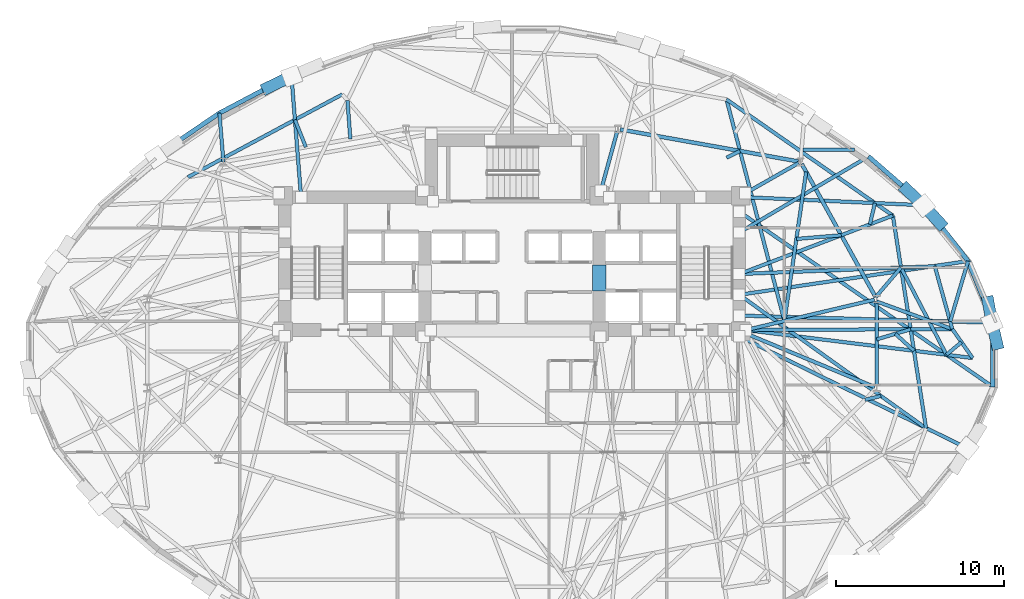
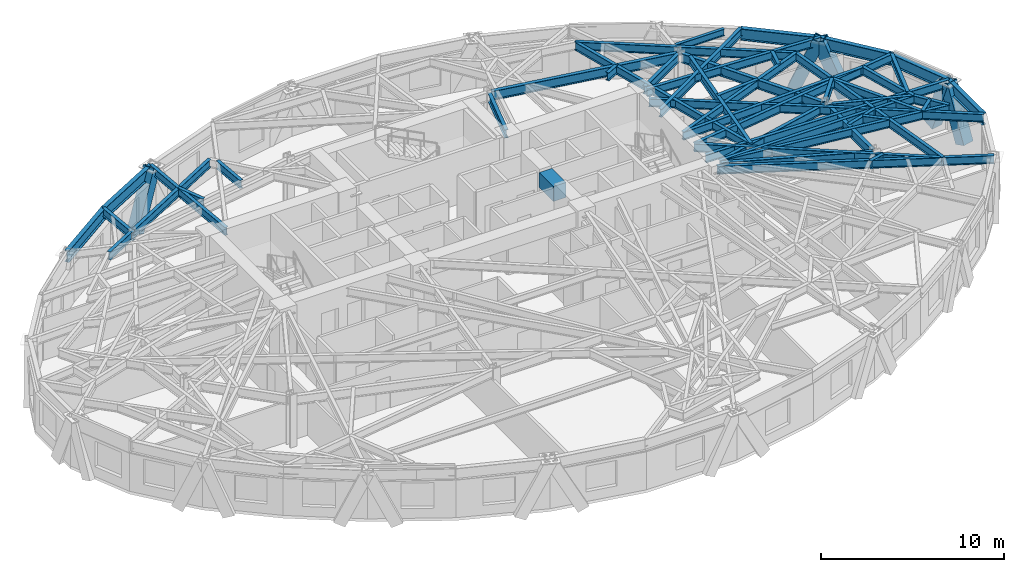
# One storey, part 4 of 14: 48 beams, 5 members.
"""IFC4 building model written with IfcOpenShell, lengths in metres."""

from ifc_helpers import new_model, si_unit, direction, frame, origin, origin_2d, place, context, subcontext, project, spatial, rectangle, hollow_rectangle, i_section, extrude, material, material_profile, profile_set, type_object, element, save


model = new_model("IFC4")

# Units and contexts
model_context = context("Model", 3, precision=1e-05, world=origin(), true_north=direction((0.0, 1.0)))
body_context = subcontext(model_context, "Body", "Model", "MODEL_VIEW")
ifc_project = project(units=[si_unit("LENGTHUNIT", "METRE"), si_unit("AREAUNIT", "SQUARE_METRE"), si_unit("VOLUMEUNIT", "CUBIC_METRE"), si_unit("PLANEANGLEUNIT", "RADIAN"), si_unit("MASSUNIT", "GRAM", prefix="KILO")], contexts=[model_context])

# Site, building, storey
site_placement = place(None, origin())
site = spatial("IfcSite", under=ifc_project, at=site_placement, CompositionType="ELEMENT")
building_placement = place(site_placement, origin())
building = spatial("IfcBuilding", under=site, at=building_placement, Name="Keldmark Tower", CompositionType="ELEMENT")
storey_placement = place(building_placement, frame((0.0, 0.0, 89.60009765625)))
storey = spatial("IfcBuildingStorey", under=building, at=storey_placement, Name="L23", CompositionType="ELEMENT", Elevation=89.60009765625)

# Beams
ifc_material_1 = material(Name="Steel ASTM A992 Grade 50", Category="steel")
ifc_material_profile_1 = material_profile(ifc_material_1, i_section(OverallWidth=0.19091796875, OverallDepth=0.45703125, WebThickness=0.009033203125, FlangeThickness=0.014404296875, at=origin_2d()), Name="W18X50")
ifc_profile_set_1 = profile_set([ifc_material_profile_1], Name="Steel ASTM A992 Grade 50")
beam_type_1 = type_object("IfcBeamType", Name="Composite Floor Joist W18X50", PredefinedType="JOIST", material=ifc_profile_set_1)
beam_1_placement = place(storey_placement, frame((17.322509765625, 12.199951171875, 3.081298828125), z_axis=(1.0, 0.0, 0.0), x_axis=(0.0, 1.0, 0.0)))
element("IfcBeam", 1, at=beam_1_placement, inside=storey, type_object=beam_type_1, Name="L23 Composite Floor Joist J08", PredefinedType="JOIST", context=body_context, shape_type="SweptSolid", body=[
    extrude(i_section(OverallWidth=0.19091796875, OverallDepth=0.45703125, WebThickness=0.009033203125, FlangeThickness=0.014404296875, at=origin_2d()), origin(), (0.0, 0.0, 1.0), 3.06494140625),
])
ifc_material_2 = material(Name="Concrete C70/85", Category="concrete")
ifc_material_profile_2 = material_profile(ifc_material_2, rectangle(XDim=0.800048828125, YDim=1.0, at=origin_2d()), Name="RCB800X1000")
ifc_profile_set_2 = profile_set([ifc_material_profile_2], Name="Concrete C70/85")
beam_type_2 = type_object("IfcBeamType", Name="Core Coupling Beam RCB800X1000", PredefinedType="USERDEFINED", material=ifc_profile_set_2)
beam_2_placement = place(storey_placement, frame((5.199951171875, 3.800048828125, 2.809814453125), z_axis=(0.0, 1.0, 0.0), x_axis=(-1.0, 0.0, 0.0)))
element("IfcBeam", 2, at=beam_2_placement, inside=storey, type_object=beam_type_2, Name="L23 East Core Coupling Beam", ObjectType="COUPLING BEAM", PredefinedType="USERDEFINED", context=body_context, shape_type="SweptSolid", body=[
    extrude(rectangle(XDim=0.800048828125, YDim=1.0, at=origin_2d()), origin(), (0.0, 0.0, 1.0), 1.550048828125),
])

# Members
ifc_material_3 = material(Name="Steel ASTM A572 Grade 50", Category="steel")
ifc_material_profile_3 = material_profile(ifc_material_3, hollow_rectangle(XDim=0.699951171875, YDim=0.699951171875, WallThickness=0.054931640625, at=origin_2d()), Name="BOX700X700X55")
ifc_profile_set_3 = profile_set([ifc_material_profile_3], Name="Steel ASTM A572 Grade 50")
member_type = type_object("IfcMemberType", Name="Diagrid Zone 1 Brace BOX700X700X55", PredefinedType="BRACE", material=ifc_profile_set_3)
member_1_placement = place(storey_placement, frame((28.3232421875, 3.15380859375, -0.27001953125), z_axis=(0.061933605526, -0.339011971209, 0.93874123798), x_axis=(0.983718870199, 0.179714174216, 0.0)))
element("IfcMember", 3, at=member_1_placement, inside=storey, type_object=member_type, Name="L23 Perimeter Diagrid Brace 01A", PredefinedType="BRACE", context=body_context, shape_type="SweptSolid", body=[
    extrude(hollow_rectangle(XDim=0.699951171875, YDim=0.699951171875, WallThickness=0.054931640625, at=origin_2d()), origin(), (0.0, 0.0, 1.0), 3.685791015625),
])
member_2_placement = place(storey_placement, frame((25.4755859375, 7.80615234375, -0.27001953125), z_axis=(-0.262085609005, 0.285373434278, 0.921885641802), x_axis=(-0.736519646714, -0.676416151496, 0.0)))
element("IfcMember", 4, at=member_2_placement, inside=storey, type_object=member_type, Name="L23 Perimeter Diagrid Brace 01B", PredefinedType="BRACE", context=body_context, shape_type="SweptSolid", body=[
    extrude(hollow_rectangle(XDim=0.699951171875, YDim=0.699951171875, WallThickness=0.054931640625, at=origin_2d()), origin(), (0.0, 0.0, 1.0), 3.753173828125),
])
member_3_placement = place(storey_placement, frame((23.441650390625, 9.855712890625, -0.27001953125), z_axis=(0.281311688688, -0.263798880483, 0.922645047927), x_axis=(0.684036585728, 0.729447701611, 0.0)))
element("IfcMember", 5, at=member_3_placement, inside=storey, type_object=member_type, Name="L23 Perimeter Diagrid Brace 02A", PredefinedType="BRACE", context=body_context, shape_type="SweptSolid", body=[
    extrude(hollow_rectangle(XDim=0.699951171875, YDim=0.699951171875, WallThickness=0.054931640625, at=origin_2d()), origin(), (0.0, 0.0, 1.0), 3.75),
])
member_4_placement = place(storey_placement, frame((-14.55322265625, 15.872314453125, -0.27001953125), z_axis=(0.381840327912, 0.187184144692, 0.905074615684), x_axis=(-0.44017146199, 0.89791373976, 0.0)))
element("IfcMember", 6, at=member_4_placement, inside=storey, type_object=member_type, Name="L23 Perimeter Diagrid Brace 06A", PredefinedType="BRACE", context=body_context, shape_type="SweptSolid", body=[
    extrude(hollow_rectangle(XDim=0.699951171875, YDim=0.699951171875, WallThickness=0.054931640625, at=origin_2d()), origin(), (0.0, 0.0, 1.0), 3.82275390625),
])
member_5_placement = place(storey_placement, frame((28.849853515625, 0.649169921875, -0.27001953125), z_axis=(-0.08070542249, 0.342700848854, 0.935971560986), x_axis=(-0.973372868039, -0.229227528376, 0.0)))
element("IfcMember", 7, at=member_5_placement, inside=storey, type_object=member_type, Name="L23 Perimeter Diagrid Brace 16B", PredefinedType="BRACE", context=body_context, shape_type="SweptSolid", body=[
    extrude(hollow_rectangle(XDim=0.699951171875, YDim=0.699951171875, WallThickness=0.054931640625, at=origin_2d()), origin(), (0.0, 0.0, 1.0), 3.696533203125),
])

# Beams
ifc_material_4 = material(Name="Steel ASTM A992 Grade 50", Category="steel")
ifc_material_profile_4 = material_profile(ifc_material_4, i_section(OverallWidth=0.22900390625, OverallDepth=0.612060546875, WebThickness=0.011962890625, FlangeThickness=0.01953125, at=origin_2d()), Name="W24X84")
ifc_profile_set_4 = profile_set([ifc_material_profile_4], Name="Steel ASTM A992 Grade 50")
beam_type_3 = type_object("IfcBeamType", Name="Primary Floor Girder W24X84", PredefinedType="BEAM", material=ifc_profile_set_4)
beam_3_placement = place(storey_placement, frame((21.62890625, 3.432373046875, 3.00390625), z_axis=(-0.484951836703, 0.874540860154, 0.0), x_axis=(-0.874540860154, -0.484951836703, 0.0)))
element("IfcBeam", 8, at=beam_3_placement, inside=storey, type_object=beam_type_3, Name="L23 Floor Ring Girder FG-R01", PredefinedType="BEAM", context=body_context, shape_type="SweptSolid", body=[
    extrude(i_section(OverallWidth=0.22900390625, OverallDepth=0.612060546875, WebThickness=0.011962890625, FlangeThickness=0.01953125, at=origin_2d()), origin(), (0.0, 0.0, 1.0), 9.060302734375),
])
beam_4_placement = place(storey_placement, frame((17.029296875, 11.503173828125, 3.00390625), z_axis=(-0.984218266992, 0.176958760505, 0.0), x_axis=(-0.176958760505, -0.984218266992, 0.0)))
element("IfcBeam", 9, at=beam_4_placement, inside=storey, type_object=beam_type_3, Name="L23 Floor Ring Girder FG-R02", PredefinedType="BEAM", context=body_context, shape_type="SweptSolid", body=[
    extrude(i_section(OverallWidth=0.22900390625, OverallDepth=0.612060546875, WebThickness=0.011962890625, FlangeThickness=0.01953125, at=origin_2d()), origin(), (0.0, 0.0, 1.0), 10.7626953125),
])
beam_5_placement = place(storey_placement, frame((21.697021484375, -1.825927734375, 3.00390625), z_axis=(0.0, 1.0, 0.0), x_axis=(-1.0, 0.0, 0.0)))
element("IfcBeam", 10, at=beam_5_placement, inside=storey, type_object=beam_type_3, Name="L23 Floor Ring Girder FG-R12", PredefinedType="BEAM", context=body_context, shape_type="SweptSolid", body=[
    extrude(i_section(OverallWidth=0.22900390625, OverallDepth=0.612060546875, WebThickness=0.011962890625, FlangeThickness=0.01953125, at=origin_2d()), origin(), (0.0, 0.0, 1.0), 4.995849609375),
])
ifc_material_5 = material(Name="Steel ASTM A992 Grade 50", Category="steel")
ifc_material_profile_5 = material_profile(ifc_material_5, i_section(OverallWidth=0.2099609375, OverallDepth=0.537109375, WebThickness=0.010986328125, FlangeThickness=0.017333984375, at=origin_2d()), Name="W21X68")
ifc_profile_set_5 = profile_set([ifc_material_profile_5], Name="Steel ASTM A992 Grade 50")
beam_type_4 = type_object("IfcBeamType", Name="Radial Tie Girder W21X68", PredefinedType="BEAM", material=ifc_profile_set_5)
beam_6_placement = place(storey_placement, frame((16.206298828125, 2.014892578125, 3.04150390625), z_axis=(0.14389571359, 0.989592857498, 0.0), x_axis=(-0.989592857498, 0.14389571359, 0.0)))
element("IfcBeam", 11, at=beam_6_placement, inside=storey, type_object=beam_type_4, Name="L23 Framing Pin Header PH-001", PredefinedType="BEAM", context=body_context, shape_type="SweptSolid", body=[
    extrude(i_section(OverallWidth=0.2099609375, OverallDepth=0.537109375, WebThickness=0.010986328125, FlangeThickness=0.017333984375, at=origin_2d()), origin(), (0.0, 0.0, 1.0), 8.96337890625),
])
beam_7_placement = place(storey_placement, frame((-10.0927734375, 15.492919921875, 3.04150390625), z_axis=(-0.881315604361, -0.472528100234, 0.0), x_axis=(0.472528100234, -0.881315604361, 0.0)))
element("IfcBeam", 12, at=beam_7_placement, inside=storey, type_object=beam_type_4, Name="L23 Perimeter Collector Ring Beam CRG1-M05", PredefinedType="BEAM", context=body_context, shape_type="SweptSolid", body=[
    extrude(i_section(OverallWidth=0.2099609375, OverallDepth=0.537109375, WebThickness=0.010986328125, FlangeThickness=0.017333984375, at=origin_2d()), origin(), (0.0, 0.0, 1.0), 10.42578125),
])
beam_8_placement = place(storey_placement, frame((16.915771484375, 6.893310546875, 3.04150390625), z_axis=(0.996588967616, 0.082525327179, 0.0), x_axis=(-0.082525327179, 0.996588967616, 0.0)))
element("IfcBeam", 13, at=beam_8_placement, inside=storey, type_object=beam_type_4, Name="L23 Framing Pin Header PH-004", PredefinedType="BEAM", context=body_context, shape_type="SweptSolid", body=[
    extrude(i_section(OverallWidth=0.2099609375, OverallDepth=0.537109375, WebThickness=0.010986328125, FlangeThickness=0.017333984375, at=origin_2d()), origin(), (0.0, 0.0, 1.0), 2.68017578125),
])
beam_9_placement = place(storey_placement, frame((13.52490234375, 4.80712890625, 3.04150390625), z_axis=(0.934581128722, 0.355750072154, 0.0), x_axis=(-0.355750072154, 0.934581128722, 0.0)))
element("IfcBeam", 14, at=beam_9_placement, inside=storey, type_object=beam_type_4, Name="L23 Sub-Ring Step Girder STP2-M01", PredefinedType="BEAM", context=body_context, shape_type="SweptSolid", body=[
    extrude(i_section(OverallWidth=0.2099609375, OverallDepth=0.537109375, WebThickness=0.010986328125, FlangeThickness=0.017333984375, at=origin_2d()), origin(), (0.0, 0.0, 1.0), 9.769775390625),
])
beam_10_placement = place(storey_placement, frame((12.7646484375, 11.72900390625, 3.04150390625), z_axis=(0.894974574829, 0.446117148751, 0.0), x_axis=(-0.446117148751, 0.894974574829, 0.0)))
element("IfcBeam", 15, at=beam_10_placement, inside=storey, type_object=beam_type_4, Name="L23 Framing Pin Header PH-005", PredefinedType="BEAM", context=body_context, shape_type="SweptSolid", body=[
    extrude(i_section(OverallWidth=0.2099609375, OverallDepth=0.537109375, WebThickness=0.010986328125, FlangeThickness=0.017333984375, at=origin_2d()), origin(), (0.0, 0.0, 1.0), 0.890869140625),
])
beam_11_placement = place(storey_placement, frame((16.206298828125, 2.014892578125, 3.04150390625), z_axis=(-0.253002706369, 0.967465570741, 0.0), x_axis=(-0.967465570741, -0.253002706369, 0.0)))
element("IfcBeam", 16, at=beam_11_placement, inside=storey, type_object=beam_type_4, Name="L23 Sub-Ring Step Girder STP2-M02", PredefinedType="BEAM", context=body_context, shape_type="SweptSolid", body=[
    extrude(i_section(OverallWidth=0.2099609375, OverallDepth=0.537109375, WebThickness=0.010986328125, FlangeThickness=0.017333984375, at=origin_2d()), origin(), (0.0, 0.0, 1.0), 13.61962890625),
])
beam_12_placement = place(storey_placement, frame((20.9951171875, -2.675048828125, 3.04150390625), z_axis=(0.972929521579, 0.231102025177, 0.0), x_axis=(-0.231102025177, 0.972929521579, 0.0)))
element("IfcBeam", 17, at=beam_12_placement, inside=storey, type_object=beam_type_4, Name="L23 Framing Pin Header PH-009", PredefinedType="BEAM", context=body_context, shape_type="SweptSolid", body=[
    extrude(i_section(OverallWidth=0.2099609375, OverallDepth=0.537109375, WebThickness=0.010986328125, FlangeThickness=0.017333984375, at=origin_2d()), origin(), (0.0, 0.0, 1.0), 0.97607421875),
])
beam_13_placement = place(storey_placement, frame((13.52490234375, 3.5712890625, 3.04150390625), z_axis=(0.813433686012, -0.581657664319, 0.0), x_axis=(0.581657664319, 0.813433686012, 0.0)))
element("IfcBeam", 18, at=beam_13_placement, inside=storey, type_object=beam_type_4, Name="L23 Sub-Ring Step Girder STP2-M12", PredefinedType="BEAM", context=body_context, shape_type="SweptSolid", body=[
    extrude(i_section(OverallWidth=0.2099609375, OverallDepth=0.537109375, WebThickness=0.010986328125, FlangeThickness=0.017333984375, at=origin_2d()), origin(), (0.0, 0.0, 1.0), 13.6513671875),
])
beam_14_placement = place(storey_placement, frame((22.655517578125, 8.28271484375, 3.04150390625), z_axis=(-0.819925117643, 0.572470786555, 0.0), x_axis=(-0.572470786555, -0.819925117643, 0.0)))
element("IfcBeam", 19, at=beam_14_placement, inside=storey, type_object=beam_type_4, Name="L23 Perimeter Collector Ring Beam CRG2-M01", PredefinedType="BEAM", context=body_context, shape_type="SweptSolid", body=[
    extrude(i_section(OverallWidth=0.2099609375, OverallDepth=0.537109375, WebThickness=0.010986328125, FlangeThickness=0.017333984375, at=origin_2d()), origin(), (0.0, 0.0, 1.0), 12.068115234375),
])
beam_15_placement = place(storey_placement, frame((24.62939453125, -4.369140625, 3.04150390625), z_axis=(-0.154150045037, 0.988047450083, 0.0), x_axis=(-0.988047450083, -0.154150045037, 0.0)))
element("IfcBeam", 20, at=beam_15_placement, inside=storey, type_object=beam_type_4, Name="L23 Perimeter Collector Ring Beam CRG2-M12", PredefinedType="BEAM", context=body_context, shape_type="SweptSolid", body=[
    extrude(i_section(OverallWidth=0.2099609375, OverallDepth=0.537109375, WebThickness=0.010986328125, FlangeThickness=0.017333984375, at=origin_2d()), origin(), (0.0, 0.0, 1.0), 12.804931640625),
])
beam_16_placement = place(storey_placement, frame((21.697021484375, 0.921875, 3.04150390625), z_axis=(0.958498594597, 0.285097253855, 0.0), x_axis=(-0.285097253855, 0.958498594597, 0.0)))
element("IfcBeam", 21, at=beam_16_placement, inside=storey, type_object=beam_type_4, Name="L23 Framing Pin Header PH-010", PredefinedType="BEAM", context=body_context, shape_type="SweptSolid", body=[
    extrude(i_section(OverallWidth=0.2099609375, OverallDepth=0.537109375, WebThickness=0.010986328125, FlangeThickness=0.017333984375, at=origin_2d()), origin(), (0.0, 0.0, 1.0), 2.1005859375),
])
beam_17_placement = place(storey_placement, frame((13.89990234375, 1.47509765625, 3.04150390625), z_axis=(0.999989195547, 0.004648525403, 0.0), x_axis=(-0.004648525403, 0.999989195547, 0.0)))
element("IfcBeam", 22, at=beam_17_placement, inside=storey, type_object=beam_type_4, Name="L23 Intermediate Radial Step Girder RT-01M", PredefinedType="BEAM", context=body_context, shape_type="SweptSolid", body=[
    extrude(i_section(OverallWidth=0.2099609375, OverallDepth=0.537109375, WebThickness=0.010986328125, FlangeThickness=0.017333984375, at=origin_2d()), origin(), (0.0, 0.0, 1.0), 12.289794921875),
])
beam_18_placement = place(storey_placement, frame((21.697021484375, 3.169921875, 3.04150390625), z_axis=(0.939518823607, -0.34249727019, 0.0), x_axis=(0.34249727019, 0.939518823607, 0.0)))
element("IfcBeam", 23, at=beam_18_placement, inside=storey, type_object=beam_type_4, Name="L23 Local Collector Chord RT-01C", PredefinedType="BEAM", context=body_context, shape_type="SweptSolid", body=[
    extrude(i_section(OverallWidth=0.2099609375, OverallDepth=0.537109375, WebThickness=0.010986328125, FlangeThickness=0.017333984375, at=origin_2d()), origin(), (0.0, 0.0, 1.0), 4.78173828125),
])
beam_19_placement = place(storey_placement, frame((21.62890625, 3.432373046875, 3.04150390625), z_axis=(0.651589581804, 0.758571695283, 0.0), x_axis=(-0.758571695283, 0.651589581804, 0.0)))
element("IfcBeam", 24, at=beam_19_placement, inside=storey, type_object=beam_type_4, Name="L23 Framing Pin Header PH-011", PredefinedType="BEAM", context=body_context, shape_type="SweptSolid", body=[
    extrude(i_section(OverallWidth=0.2099609375, OverallDepth=0.537109375, WebThickness=0.010986328125, FlangeThickness=0.017333984375, at=origin_2d()), origin(), (0.0, 0.0, 1.0), 2.31640625),
])
beam_20_placement = place(storey_placement, frame((13.52490234375, 4.80712890625, 3.04150390625), z_axis=(0.999209950135, 0.039742616299, 0.0), x_axis=(-0.039742616299, 0.999209950135, 0.0)))
element("IfcBeam", 25, at=beam_20_placement, inside=storey, type_object=beam_type_4, Name="L23 Intermediate Radial Step Girder RT-02M", PredefinedType="BEAM", context=body_context, shape_type="SweptSolid", body=[
    extrude(i_section(OverallWidth=0.2099609375, OverallDepth=0.537109375, WebThickness=0.010986328125, FlangeThickness=0.017333984375, at=origin_2d()), origin(), (0.0, 0.0, 1.0), 11.635009765625),
])
beam_21_placement = place(storey_placement, frame((26.189453125, 1.5322265625, 3.04150390625), z_axis=(-0.267806167303, 0.963472810594, 0.0), x_axis=(-0.963472810594, -0.267806167303, 0.0)))
element("IfcBeam", 26, at=beam_21_placement, inside=storey, type_object=beam_type_4, Name="L23 Local Collector Chord RT-02C", PredefinedType="BEAM", context=body_context, shape_type="SweptSolid", body=[
    extrude(i_section(OverallWidth=0.2099609375, OverallDepth=0.537109375, WebThickness=0.010986328125, FlangeThickness=0.017333984375, at=origin_2d()), origin(), (0.0, 0.0, 1.0), 3.87890625),
])
beam_22_placement = place(storey_placement, frame((13.52490234375, 3.5712890625, 3.04150390625), z_axis=(0.989291750544, 0.145951472432, 0.0), x_axis=(-0.145951472432, 0.989291750544, 0.0)))
element("IfcBeam", 27, at=beam_22_placement, inside=storey, type_object=beam_type_4, Name="L23 Perimeter Radial Tie Girder RT-02", PredefinedType="BEAM", context=body_context, shape_type="SweptSolid", body=[
    extrude(i_section(OverallWidth=0.2099609375, OverallDepth=0.537109375, WebThickness=0.010986328125, FlangeThickness=0.017333984375, at=origin_2d()), origin(), (0.0, 0.0, 1.0), 13.75),
])
beam_23_placement = place(storey_placement, frame((21.285888671875, 7.761474609375, 3.04150390625), z_axis=(0.231713456872, 0.972784083908, 0.0), x_axis=(-0.972784083908, 0.231713456872, 0.0)))
element("IfcBeam", 28, at=beam_23_placement, inside=storey, type_object=beam_type_4, Name="L23 Framing Pin Header PH-012", PredefinedType="BEAM", context=body_context, shape_type="SweptSolid", body=[
    extrude(i_section(OverallWidth=0.2099609375, OverallDepth=0.537109375, WebThickness=0.010986328125, FlangeThickness=0.017333984375, at=origin_2d()), origin(), (0.0, 0.0, 1.0), 1.30224609375),
])
beam_24_placement = place(storey_placement, frame((13.89990234375, 9.375, 3.04150390625), z_axis=(0.998984813871, -0.045048214784, 0.0), x_axis=(0.045048214784, 0.998984813871, 0.0)))
element("IfcBeam", 29, at=beam_24_placement, inside=storey, type_object=beam_type_4, Name="L23 Perimeter Radial Tie Girder RT-03", PredefinedType="BEAM", context=body_context, shape_type="SweptSolid", body=[
    extrude(i_section(OverallWidth=0.2099609375, OverallDepth=0.537109375, WebThickness=0.010986328125, FlangeThickness=0.017333984375, at=origin_2d()), origin(), (0.0, 0.0, 1.0), 10.66015625),
])
beam_25_placement = place(storey_placement, frame((13.52490234375, 7.278564453125, 3.04150390625), z_axis=(0.861941256473, 0.507008156137, 0.0), x_axis=(-0.507008156137, 0.861941256473, 0.0)))
element("IfcBeam", 30, at=beam_25_placement, inside=storey, type_object=beam_type_4, Name="L23 Perimeter Radial Tie Girder RT-04", PredefinedType="BEAM", context=body_context, shape_type="SweptSolid", body=[
    extrude(i_section(OverallWidth=0.2099609375, OverallDepth=0.537109375, WebThickness=0.010986328125, FlangeThickness=0.017333984375, at=origin_2d()), origin(), (0.0, 0.0, 1.0), 8.9130859375),
])
beam_26_placement = place(storey_placement, frame((-9.614501953125, 12.836181640625, 3.04150390625), z_axis=(-0.075335195773, 0.997158266414, 0.0), x_axis=(-0.997158266414, -0.075335195773, 0.0)))
element("IfcBeam", 31, at=beam_26_placement, inside=storey, type_object=beam_type_4, Name="L23 Framing Pin Header PH-016", PredefinedType="BEAM", context=body_context, shape_type="SweptSolid", body=[
    extrude(i_section(OverallWidth=0.2099609375, OverallDepth=0.537109375, WebThickness=0.010986328125, FlangeThickness=0.017333984375, at=origin_2d()), origin(), (0.0, 0.0, 1.0), 2.30419921875),
])
beam_27_placement = place(storey_placement, frame((-12.2626953125, 12.360107421875, 3.04150390625), z_axis=(-0.371414777482, 0.928467050071, 0.0), x_axis=(-0.928467050071, -0.371414777482, 0.0)))
element("IfcBeam", 32, at=beam_27_placement, inside=storey, type_object=beam_type_4, Name="L23 Framing Pin Header PH-017", PredefinedType="BEAM", context=body_context, shape_type="SweptSolid", body=[
    extrude(i_section(OverallWidth=0.2099609375, OverallDepth=0.537109375, WebThickness=0.010986328125, FlangeThickness=0.017333984375, at=origin_2d()), origin(), (0.0, 0.0, 1.0), 1.74658203125),
])
beam_28_placement = place(storey_placement, frame((-12.54638671875, 9.375, 3.04150390625), z_axis=(-0.078953032265, 0.996878336958, 0.0), x_axis=(-0.996878336958, -0.078953032265, 0.0)))
element("IfcBeam", 33, at=beam_28_placement, inside=storey, type_object=beam_type_4, Name="L23 Perimeter Radial Tie Girder RT-11", PredefinedType="BEAM", context=body_context, shape_type="SweptSolid", body=[
    extrude(i_section(OverallWidth=0.2099609375, OverallDepth=0.537109375, WebThickness=0.010986328125, FlangeThickness=0.017333984375, at=origin_2d()), origin(), (0.0, 0.0, 1.0), 7.288330078125),
])
beam_29_placement = place(storey_placement, frame((-17.1669921875, 11.478271484375, 3.04150390625), z_axis=(-0.081717856623, 0.996655503125, 0.0), x_axis=(-0.996655503125, -0.081717856623, 0.0)))
element("IfcBeam", 34, at=beam_29_placement, inside=storey, type_object=beam_type_4, Name="L23 Perimeter Column Bracket RT-12", PredefinedType="BEAM", context=body_context, shape_type="SweptSolid", body=[
    extrude(i_section(OverallWidth=0.2099609375, OverallDepth=0.537109375, WebThickness=0.010986328125, FlangeThickness=0.017333984375, at=origin_2d()), origin(), (0.0, 0.0, 1.0), 2.906982421875),
])
beam_30_placement = place(storey_placement, frame((13.52490234375, 1.10009765625, 3.04150390625), z_axis=(0.897654748014, -0.440699391159, 0.0), x_axis=(0.440699391159, 0.897654748014, 0.0)))
element("IfcBeam", 35, at=beam_30_placement, inside=storey, type_object=beam_type_4, Name="L23 Perimeter Radial Tie Girder RT-31", PredefinedType="BEAM", context=body_context, shape_type="SweptSolid", body=[
    extrude(i_section(OverallWidth=0.2099609375, OverallDepth=0.537109375, WebThickness=0.010986328125, FlangeThickness=0.017333984375, at=origin_2d()), origin(), (0.0, 0.0, 1.0), 15.15380859375),
])
beam_31_placement = place(storey_placement, frame((22.804443359375, 1.251220703125, 3.04150390625), z_axis=(0.738337241578, -0.674431699803, 0.0), x_axis=(0.674431699803, 0.738337241578, 0.0)))
element("IfcBeam", 36, at=beam_31_placement, inside=storey, type_object=beam_type_4, Name="L23 Framing Pin Header PH-036", PredefinedType="BEAM", context=body_context, shape_type="SweptSolid", body=[
    extrude(i_section(OverallWidth=0.2099609375, OverallDepth=0.537109375, WebThickness=0.010986328125, FlangeThickness=0.017333984375, at=origin_2d()), origin(), (0.0, 0.0, 1.0), 1.49755859375),
])
beam_32_placement = place(storey_placement, frame((13.89990234375, 1.47509765625, 3.04150390625), z_axis=(0.992488765167, -0.122335812492, 0.0), x_axis=(0.122335812492, 0.992488765167, 0.0)))
element("IfcBeam", 37, at=beam_32_placement, inside=storey, type_object=beam_type_4, Name="L23 Intermediate Radial Step Girder RT-32M", PredefinedType="BEAM", context=body_context, shape_type="SweptSolid", body=[
    extrude(i_section(OverallWidth=0.2099609375, OverallDepth=0.537109375, WebThickness=0.010986328125, FlangeThickness=0.017333984375, at=origin_2d()), origin(), (0.0, 0.0, 1.0), 13.602294921875),
])
beam_33_placement = place(storey_placement, frame((26.189453125, 1.5322265625, 3.04150390625), z_axis=(0.575329586776, -0.817921675089, 0.0), x_axis=(0.817921675089, 0.575329586776, 0.0)))
element("IfcBeam", 38, at=beam_33_placement, inside=storey, type_object=beam_type_4, Name="L23 Local Collector Chord RT-32C", PredefinedType="BEAM", context=body_context, shape_type="SweptSolid", body=[
    extrude(i_section(OverallWidth=0.2099609375, OverallDepth=0.537109375, WebThickness=0.010986328125, FlangeThickness=0.017333984375, at=origin_2d()), origin(), (0.0, 0.0, 1.0), 2.104248046875),
])
beam_34_placement = place(storey_placement, frame((26.734375, 0.7578125, 3.04150390625), z_axis=(-0.763473457595, -0.645839205645, 0.0), x_axis=(0.645839205645, -0.763473457595, 0.0)))
element("IfcBeam", 39, at=beam_34_placement, inside=storey, type_object=beam_type_4, Name="L23 Framing Pin Header PH-037", PredefinedType="BEAM", context=body_context, shape_type="SweptSolid", body=[
    extrude(i_section(OverallWidth=0.2099609375, OverallDepth=0.537109375, WebThickness=0.010986328125, FlangeThickness=0.017333984375, at=origin_2d()), origin(), (0.0, 0.0, 1.0), 1.16845703125),
])
beam_35_placement = place(storey_placement, frame((13.52490234375, 8.514404296875, 3.04150390625), z_axis=(0.82269512917, -0.568482826864, 0.0), x_axis=(0.568482826864, 0.82269512917, 0.0)))
element("IfcBeam", 40, at=beam_35_placement, inside=storey, type_object=beam_type_4, Name="L23 Perimeter Radial Tie Girder RT-32", PredefinedType="BEAM", context=body_context, shape_type="SweptSolid", body=[
    extrude(i_section(OverallWidth=0.2099609375, OverallDepth=0.537109375, WebThickness=0.010986328125, FlangeThickness=0.017333984375, at=origin_2d()), origin(), (0.0, 0.0, 1.0), 18.33740234375),
])
beam_36_placement = place(storey_placement, frame((25.84228515625, 0.003173828125, 3.04150390625), z_axis=(-0.462326334109, 0.886709851524, 0.0), x_axis=(-0.886709851524, -0.462326334109, 0.0)))
element("IfcBeam", 41, at=beam_36_placement, inside=storey, type_object=beam_type_4, Name="L23 Straddling Support Chord RT-01RB", PredefinedType="BEAM", context=body_context, shape_type="SweptSolid", body=[
    extrude(i_section(OverallWidth=0.2099609375, OverallDepth=0.537109375, WebThickness=0.010986328125, FlangeThickness=0.017333984375, at=origin_2d()), origin(), (0.0, 0.0, 1.0), 5.848876953125),
])
beam_37_placement = place(storey_placement, frame((27.127685546875, 5.578125, 3.04150390625), z_axis=(-0.283523042835, -0.958965423872, 0.0), x_axis=(0.958965423872, -0.283523042835, 0.0)))
element("IfcBeam", 42, at=beam_37_placement, inside=storey, type_object=beam_type_4, Name="L23 Framing Pin Header PH-038", PredefinedType="BEAM", context=body_context, shape_type="SweptSolid", body=[
    extrude(i_section(OverallWidth=0.2099609375, OverallDepth=0.537109375, WebThickness=0.010986328125, FlangeThickness=0.017333984375, at=origin_2d()), origin(), (0.0, 0.0, 1.0), 3.75),
])
beam_38_placement = place(storey_placement, frame((13.52490234375, 2.335693359375, 3.04150390625), z_axis=(0.999602417595, -0.028195863834, 0.0), x_axis=(0.028195863834, 0.999602417595, 0.0)))
element("IfcBeam", 43, at=beam_38_placement, inside=storey, type_object=beam_type_4, Name="L23 Perimeter Radial Tie Girder RT-01R", PredefinedType="BEAM", context=body_context, shape_type="SweptSolid", body=[
    extrude(i_section(OverallWidth=0.2099609375, OverallDepth=0.537109375, WebThickness=0.010986328125, FlangeThickness=0.017333984375, at=origin_2d()), origin(), (0.0, 0.0, 1.0), 15.09228515625),
])
ifc_material_6 = material(Name="Steel ASTM A992 Grade 50", Category="steel")
ifc_material_profile_6 = material_profile(ifc_material_6, i_section(OverallWidth=0.214111328125, OverallDepth=0.549072265625, WebThickness=0.0146484375, FlangeThickness=0.023681640625, at=origin_2d()), Name="W21X93")
ifc_profile_set_6 = profile_set([ifc_material_profile_6], Name="Steel ASTM A992 Grade 50")
beam_type_5 = type_object("IfcBeamType", Name="Radial Tie Girder W21X93", PredefinedType="BEAM", material=ifc_profile_set_6)
beam_39_placement = place(storey_placement, frame((21.560546875, 3.27783203125, 3.035400390625), z_axis=(-0.973283778272, -0.229605502879, 0.0), x_axis=(0.229605502879, -0.973283778272, 0.0)))
element("IfcBeam", 44, at=beam_39_placement, inside=storey, type_object=beam_type_5, Name="L23 Floor Radial Girder FG-C01", PredefinedType="BEAM", context=body_context, shape_type="SweptSolid", body=[
    extrude(i_section(OverallWidth=0.214111328125, OverallDepth=0.549072265625, WebThickness=0.0146484375, FlangeThickness=0.023681640625, at=origin_2d()), origin(), (0.0, 0.0, 1.0), 7.85888671875),
])
beam_40_placement = place(storey_placement, frame((17.04541015625, 11.4091796875, 3.035400390625), z_axis=(-0.86928447329, -0.494312152892, 0.0), x_axis=(0.494312152892, -0.86928447329, 0.0)))
element("IfcBeam", 45, at=beam_40_placement, inside=storey, type_object=beam_type_5, Name="L23 Floor Radial Girder FG-C02", PredefinedType="BEAM", context=body_context, shape_type="SweptSolid", body=[
    extrude(i_section(OverallWidth=0.214111328125, OverallDepth=0.549072265625, WebThickness=0.0146484375, FlangeThickness=0.023681640625, at=origin_2d()), origin(), (0.0, 0.0, 1.0), 3.6435546875),
])
beam_41_placement = place(storey_placement, frame((6.26171875, 13.297607421875, 3.035400390625), z_axis=(-0.265997186795, -0.963973804944, 0.0), x_axis=(0.963973804944, -0.265997186795, 0.0)))
element("IfcBeam", 46, at=beam_41_placement, inside=storey, type_object=beam_type_5, Name="L23 Floor Radial Girder FG-C03", PredefinedType="BEAM", context=body_context, shape_type="SweptSolid", body=[
    extrude(i_section(OverallWidth=0.214111328125, OverallDepth=0.549072265625, WebThickness=0.0146484375, FlangeThickness=0.023681640625, at=origin_2d()), origin(), (0.0, 0.0, 1.0), 3.67138671875),
])
beam_42_placement = place(storey_placement, frame((21.567626953125, -1.912109375, 3.035400390625), z_axis=(-0.923397393633, 0.383845350932, 0.0), x_axis=(-0.383845350932, -0.923397393633, 0.0)))
element("IfcBeam", 47, at=beam_42_placement, inside=storey, type_object=beam_type_5, Name="L23 Floor Radial Girder FG-C12", PredefinedType="BEAM", context=body_context, shape_type="SweptSolid", body=[
    extrude(i_section(OverallWidth=0.214111328125, OverallDepth=0.549072265625, WebThickness=0.0146484375, FlangeThickness=0.023681640625, at=origin_2d()), origin(), (0.0, 0.0, 1.0), 8.30859375),
])
ifc_material_7 = material(Name="Steel ASTM A992 Grade 50", Category="steel")
ifc_material_profile_7 = material_profile(ifc_material_7, i_section(OverallWidth=0.26806640625, OverallDepth=0.77001953125, WebThickness=0.015625, FlangeThickness=0.025390625, at=origin_2d()), Name="W30X132")
ifc_profile_set_7 = profile_set([ifc_material_profile_7], Name="Steel ASTM A992 Grade 50")
beam_type_6 = type_object("IfcBeamType", Name="Spandrel Ring Beam W30X132", PredefinedType="SPANDREL", material=ifc_profile_set_7)
beam_43_placement = place(storey_placement, frame((28.611083984375, 1.91015625, 2.9248046875), z_axis=(-0.374920072969, 0.927057138954, 0.0), x_axis=(-0.927057138954, -0.374920072969, 0.0)))
element("IfcBeam", 48, at=beam_43_placement, inside=storey, type_object=beam_type_6, Name="L23 Perimeter Spandrel Ring Beam SRB-01", PredefinedType="SPANDREL", context=body_context, shape_type="SweptSolid", body=[
    extrude(i_section(OverallWidth=0.26806640625, OverallDepth=0.77001953125, WebThickness=0.015625, FlangeThickness=0.025390625, at=origin_2d()), origin(), (0.0, 0.0, 1.0), 3.95654296875),
])
beam_44_placement = place(storey_placement, frame((27.127685546875, 5.578125, 2.9248046875), z_axis=(-0.61375552181, 0.789496142769, 0.0), x_axis=(-0.789496142769, -0.61375552181, 0.0)))
element("IfcBeam", 49, at=beam_44_placement, inside=storey, type_object=beam_type_6, Name="L23 Perimeter Spandrel Ring Beam SRB-02", PredefinedType="SPANDREL", context=body_context, shape_type="SweptSolid", body=[
    extrude(i_section(OverallWidth=0.26806640625, OverallDepth=0.77001953125, WebThickness=0.015625, FlangeThickness=0.025390625, at=origin_2d()), origin(), (0.0, 0.0, 1.0), 4.200927734375),
])
beam_45_placement = place(storey_placement, frame((24.54931640625, 8.894775390625, 2.9248046875), z_axis=(-0.754949760528, 0.655782630967, 0.0), x_axis=(-0.655782630967, -0.754949760528, 0.0)))
element("IfcBeam", 50, at=beam_45_placement, inside=storey, type_object=beam_type_6, Name="L23 Perimeter Spandrel Ring Beam SRB-03", PredefinedType="SPANDREL", context=body_context, shape_type="SweptSolid", body=[
    extrude(i_section(OverallWidth=0.26806640625, OverallDepth=0.77001953125, WebThickness=0.015625, FlangeThickness=0.025390625, at=origin_2d()), origin(), (0.0, 0.0, 1.0), 4.426513671875),
])
beam_46_placement = place(storey_placement, frame((-13.121826171875, 16.640625, 2.9248046875), z_axis=(-0.883974159998, -0.467535757409, 0.0), x_axis=(0.467535757409, -0.883974159998, 0.0)))
element("IfcBeam", 51, at=beam_46_placement, inside=storey, type_object=beam_type_6, Name="L23 Perimeter Spandrel Ring Beam SRB-11", PredefinedType="SPANDREL", context=body_context, shape_type="SweptSolid", body=[
    extrude(i_section(OverallWidth=0.26806640625, OverallDepth=0.77001953125, WebThickness=0.015625, FlangeThickness=0.025390625, at=origin_2d()), origin(), (0.0, 0.0, 1.0), 4.8447265625),
])
beam_47_placement = place(storey_placement, frame((-17.404541015625, 14.37548828125, 2.9248046875), z_axis=(-0.827749911298, -0.561097214701, 0.0), x_axis=(0.561097214701, -0.827749911298, 0.0)))
element("IfcBeam", 52, at=beam_47_placement, inside=storey, type_object=beam_type_6, Name="L23 Perimeter Spandrel Ring Beam SRB-12", PredefinedType="SPANDREL", context=body_context, shape_type="SweptSolid", body=[
    extrude(i_section(OverallWidth=0.26806640625, OverallDepth=0.77001953125, WebThickness=0.015625, FlangeThickness=0.025390625, at=origin_2d()), origin(), (0.0, 0.0, 1.0), 4.59423828125),
])
beam_48_placement = place(storey_placement, frame((28.611083984375, -1.91015625, 2.9248046875), z_axis=(0.0, 1.0, 0.0), x_axis=(-1.0, 0.0, 0.0)))
element("IfcBeam", 53, at=beam_48_placement, inside=storey, type_object=beam_type_6, Name="L23 Perimeter Spandrel Ring Beam SRB-32", PredefinedType="SPANDREL", context=body_context, shape_type="SweptSolid", body=[
    extrude(i_section(OverallWidth=0.26806640625, OverallDepth=0.77001953125, WebThickness=0.015625, FlangeThickness=0.025390625, at=origin_2d()), origin(), (0.0, 0.0, 1.0), 3.8203125),
])

save(model, "model.ifc")
